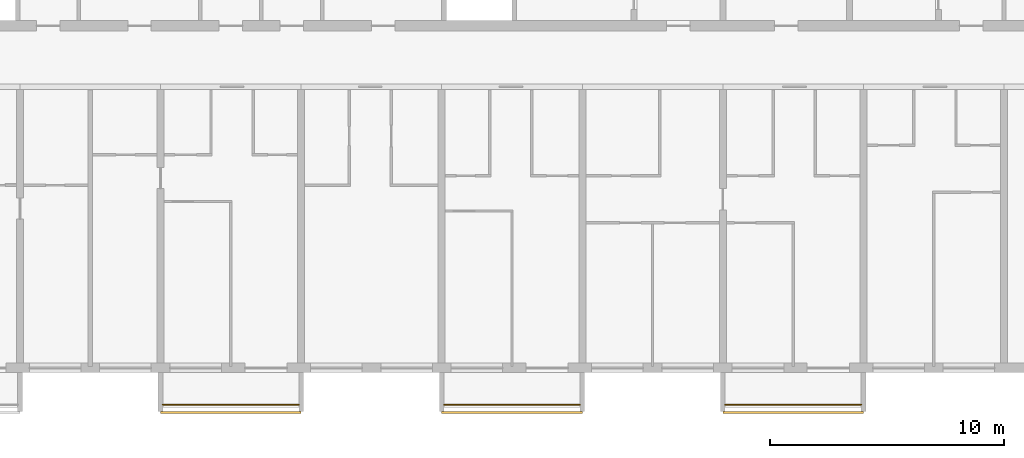
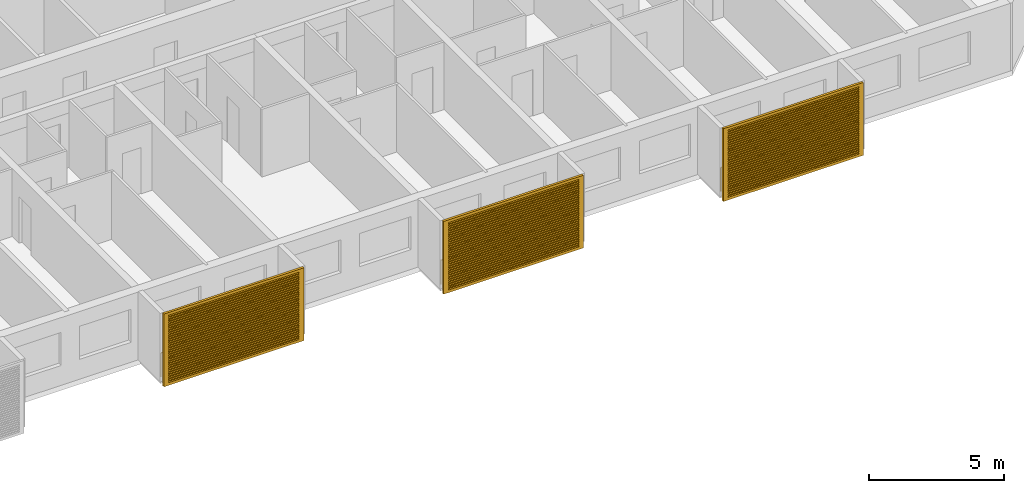
# One storey, part 15 of 32: 3 railings, 3 shading devices.
"""IFC4 building model written with IfcOpenShell, lengths in metres."""

import ifcopenshell
import ifcopenshell.guid

model = None  # the IFC model being written
_history = None  # IfcOwnerHistory: only IFC2X3 demands one
_inside = {}  # id of a spatial element -> (the spatial element, [elements in it])
_under = {}  # id of a project, library or spatial element -> (it, [spatial elements below it])
_declared = {}  # id of a project -> (the project, [libraries it declares])
_typed = {}  # id of a type object -> (the type object, [elements of that type])
_made_of = {}  # id of a material, layer set ... -> (it, [elements and type objects made of it])


def new_model(schema):
    """Start an empty IFC model of exactly this schema.

    Asked for "IFC4X3", IfcOpenShell would pick the latest addendum, in which some entities
    have other attributes; the version numbers below select the first issue.
    IFC2X3 requires an IfcOwnerHistory on every rooted entity: one is made here for all.
    """
    global model, _history
    if schema == "IFC4X3":
        model = ifcopenshell.file(schema_version=(4, 3, 0, 0))
    else:
        model = ifcopenshell.file(schema=schema)
    _inside.clear()
    _under.clear()
    _declared.clear()
    _typed.clear()
    _made_of.clear()
    _history = None
    if model.schema == "IFC2X3":
        org = make("IfcOrganization", Name="unknown")
        user = make(
            "IfcPersonAndOrganization",
            ThePerson=make("IfcPerson", FamilyName="unknown"),
            TheOrganization=org,
        )
        app = make(
            "IfcApplication",
            ApplicationDeveloper=org,
            Version="unknown",
            ApplicationFullName="unknown",
            ApplicationIdentifier="unknown",
        )
        _history = make(
            "IfcOwnerHistory",
            OwningUser=user,
            OwningApplication=app,
            ChangeAction="ADDED",
            CreationDate=0,
        )
    return model


def make(cls, **values):
    """One entity of the class cls with the attributes given. An attribute that is None is left unset."""
    return model.create_entity(
        cls, **{name: value for name, value in values.items() if value is not None}
    )


def rooted(cls, **values):
    """An entity with a GlobalId (a new one), such as an element, a storey or a relation."""
    return make(cls, GlobalId=ifcopenshell.guid.new(), OwnerHistory=_history, **values)


def si_unit(unit_type, name, prefix=None):
    """IfcSIUnit, for example si_unit("LENGTHUNIT", "METRE", prefix="MILLI")."""
    return make("IfcSIUnit", UnitType=unit_type, Prefix=prefix, Name=name)


def assignment(units):
    """IfcUnitAssignment: the units of a project."""
    return None if units is None else make("IfcUnitAssignment", Units=units)


def point(xyz):
    """IfcCartesianPoint."""
    return None if xyz is None else make("IfcCartesianPoint", Coordinates=xyz)


def direction(xyz):
    """IfcDirection."""
    return None if xyz is None else make("IfcDirection", DirectionRatios=xyz)


def frame(location, z_axis=None, x_axis=None):
    """IfcAxis2Placement3D, a coordinate frame: its origin and axes. An axis left out is left unset."""
    return make(
        "IfcAxis2Placement3D",
        Location=point(location),
        Axis=direction(z_axis),
        RefDirection=direction(x_axis),
    )


def frame_2d(location, x_axis=None):
    """IfcAxis2Placement2D, a coordinate frame in the plane: its origin and x axis."""
    return make(
        "IfcAxis2Placement2D", Location=point(location), RefDirection=direction(x_axis)
    )


def origin():
    """The frame at (0, 0, 0) with its axes left unset."""
    return frame((0.0, 0.0, 0.0))


def origin_2d():
    """The frame at (0, 0) in the plane with its x axis left unset."""
    return frame_2d((0.0, 0.0))


def place(relative_to, where):
    """IfcLocalPlacement: puts the frame where relative to a parent placement (None: the world)."""
    return make(
        "IfcLocalPlacement", PlacementRelTo=relative_to, RelativePlacement=where
    )


def context(
    kind, dimensions, precision=None, world=None, true_north=None, identifier=None
):
    """IfcGeometricRepresentationContext, for example the 3D "Model" context."""
    return make(
        "IfcGeometricRepresentationContext",
        ContextIdentifier=identifier,
        ContextType=kind,
        CoordinateSpaceDimension=dimensions,
        Precision=precision,
        WorldCoordinateSystem=world,
        TrueNorth=true_north,
    )


def subcontext(parent, identifier, kind, view, scale=None):
    """IfcGeometricRepresentationSubContext, for example "Body" below "Model"."""
    return make(
        "IfcGeometricRepresentationSubContext",
        ContextIdentifier=identifier,
        ContextType=kind,
        ParentContext=parent,
        TargetScale=scale,
        TargetView=view,
    )


def project(units=None, contexts=None):
    """IfcProject with its units and contexts."""
    return rooted(
        "IfcProject",
        Name="project",
        RepresentationContexts=contexts,
        UnitsInContext=assignment(units),
    )


def spatial(cls, under=None, at=None, **own):
    """A site, building, storey or space (cls), placed at a placement, below another one or the project."""
    s = rooted(cls, ObjectPlacement=at, **own)
    if under is not None:
        _under.setdefault(under.id(), (under, []))[1].append(s)
    return s


def polyline(points):
    """IfcPolyline through the points."""
    return make("IfcPolyline", Points=[point(p) for p in points])


def profile(cls, at=None, kind="AREA", **sizes):
    """A parametric profile (cls). Its sizes go by their IFC names, for example OverallWidth=200.0."""
    return make(cls, ProfileType=kind, Position=at, **sizes)


def circle(**sizes):
    """IfcCircleProfileDef."""
    return profile("IfcCircleProfileDef", **sizes)


def outline(outer, holes=None, kind="AREA"):
    """IfcArbitraryClosedProfileDef: a profile drawn as a closed curve; with holes, ...WithVoids."""
    if holes is None:
        return make("IfcArbitraryClosedProfileDef", ProfileType=kind, OuterCurve=outer)
    return make(
        "IfcArbitraryProfileDefWithVoids",
        ProfileType=kind,
        OuterCurve=outer,
        InnerCurves=holes,
    )


def extrude(swept, where, along, depth):
    """IfcExtrudedAreaSolid: the profile swept, set in the frame where, extruded along a direction by depth."""
    return make(
        "IfcExtrudedAreaSolid",
        SweptArea=swept,
        Position=where,
        ExtrudedDirection=direction(along),
        Depth=depth,
    )


def shape(context_of_items, identifier, shape_type, items):
    """IfcShapeRepresentation: the items that make up one representation, for example the "Body"."""
    return make(
        "IfcShapeRepresentation",
        ContextOfItems=context_of_items,
        RepresentationIdentifier=identifier,
        RepresentationType=shape_type,
        Items=items,
    )


def source(mapping_origin, context_of_items, identifier, shape_type, items):
    """IfcRepresentationMap: a shape defined once, which mapped items show again and again."""
    return make(
        "IfcRepresentationMap",
        MappingOrigin=mapping_origin,
        MappedRepresentation=shape(context_of_items, identifier, shape_type, items),
    )


def transform(
    local_origin,
    x_axis=None,
    y_axis=None,
    z_axis=None,
    scale=None,
    scale2=None,
    scale3=None,
    uniform=True,
):
    """IfcCartesianTransformationOperator3D, or its non-uniform kind. x_axis, y_axis, z_axis: its Axis1, 2, 3."""
    if uniform:
        return make(
            "IfcCartesianTransformationOperator3D",
            Axis1=direction(x_axis),
            Axis2=direction(y_axis),
            LocalOrigin=point(local_origin),
            Scale=scale,
            Axis3=direction(z_axis),
        )
    return make(
        "IfcCartesianTransformationOperator3DnonUniform",
        Axis1=direction(x_axis),
        Axis2=direction(y_axis),
        LocalOrigin=point(local_origin),
        Scale=scale,
        Axis3=direction(z_axis),
        Scale2=scale2,
        Scale3=scale3,
    )


def mapped(mapping_source, mapping_target):
    """IfcMappedItem: shows the shape of a source again, moved by a transform."""
    return make(
        "IfcMappedItem", MappingSource=mapping_source, MappingTarget=mapping_target
    )


def material(Name=None, Category=None):
    """IfcMaterial."""
    return make("IfcMaterial", Name=Name, Category=Category)


def material_profile(
    of_material, cross_section, Name=None, Category=None, Priority=None
):
    """IfcMaterialProfile: a cross section and its material."""
    return make(
        "IfcMaterialProfile",
        Name=Name,
        Material=of_material,
        Profile=cross_section,
        Priority=Priority,
        Category=Category,
    )


def profile_set(profiles, Name=None, composite=None):
    """IfcMaterialProfileSet."""
    return make(
        "IfcMaterialProfileSet",
        Name=Name,
        MaterialProfiles=profiles,
        CompositeProfile=composite,
    )


def made_of(thing, what):
    """Note that an element or type object is made of a material, layer set ...; save() writes the relation."""
    if what is not None:
        _made_of.setdefault(what.id(), (what, []))[1].append(thing)
    return thing


def type_object(cls, material=None, **own):
    """A type object (cls), such as IfcWallType, which elements share."""
    return made_of(rooted(cls, **own), material)


def element(
    cls,
    number,
    at=None,
    inside=None,
    cuts=None,
    type_object=None,
    material=None,
    context=None,
    identifier="Body",
    shape_type=None,
    held_by="IfcProductDefinitionShape",
    body=None,
    shapes=None,
    **own,
):
    """One element of the class cls, such as IfcWall. Its Tag is "e" and its number.

    at: its placement. inside: the storey or other place that contains it. cuts: it is an
    opening in that element (IfcRelVoidsElement). A single representation is given by context,
    identifier, shape_type and body (its items); several are given by shapes. held_by: the class
    of the entity that holds the representations. save() writes the other relations.
    """
    e = rooted(cls, Tag="e%d" % number, ObjectPlacement=at, **own)
    if body is not None:
        shapes = [shape(context, identifier, shape_type, body)]
    if shapes is not None:
        e.Representation = make(held_by, Representations=shapes)
    if inside is not None:
        _inside.setdefault(inside.id(), (inside, []))[1].append(e)
    if cuts is not None:
        rooted(
            "IfcRelVoidsElement", RelatingBuildingElement=cuts, RelatedOpeningElement=e
        )
    if type_object is not None:
        _typed.setdefault(type_object.id(), (type_object, []))[1].append(e)
    return made_of(e, material)


def aggregate(whole, parts):
    """IfcRelAggregates: a whole, such as a stair, and the parts it consists of."""
    return rooted("IfcRelAggregates", RelatingObject=whole, RelatedObjects=parts)


def save(model, path):
    """Write the relations noted so far, then the file.

    IfcRelAggregates (storeys below a building ...), IfcRelContainedInSpatialStructure (elements
    in a storey), IfcRelDefinesByType, IfcRelAssociatesMaterial and IfcRelDeclares: one each for
    every whole, place, type object, material and project.
    """
    for whole, parts in _under.values():
        aggregate(whole, parts)
    for where, things in _inside.values():
        rooted(
            "IfcRelContainedInSpatialStructure",
            RelatedElements=things,
            RelatingStructure=where,
        )
    for kind, things in _typed.values():
        rooted("IfcRelDefinesByType", RelatedObjects=things, RelatingType=kind)
    for what, things in _made_of.values():
        rooted("IfcRelAssociatesMaterial", RelatedObjects=things, RelatingMaterial=what)
    for by, libraries in _declared.values():
        rooted("IfcRelDeclares", RelatingContext=by, RelatedDefinitions=libraries)
    model.write(path)


model = new_model("IFC4")

# Units and contexts
model_context = context("Model", 3, precision=1e-05, world=origin(), true_north=direction((0.0, 1.0)))
body_context = subcontext(model_context, "Body", "Model", "MODEL_VIEW")
ifc_project = project(units=[si_unit("LENGTHUNIT", "METRE"), si_unit("AREAUNIT", "SQUARE_METRE"), si_unit("VOLUMEUNIT", "CUBIC_METRE"), si_unit("PLANEANGLEUNIT", "RADIAN"), si_unit("MASSUNIT", "GRAM", prefix="KILO")], contexts=[model_context])

# Site, building, storey
site_placement = place(None, origin())
site = spatial("IfcSite", under=ifc_project, at=site_placement, CompositionType="ELEMENT")
building_placement = place(site_placement, origin())
building = spatial("IfcBuilding", under=site, at=building_placement, Name="Poui Terraces", CompositionType="ELEMENT")
storey_placement = place(building_placement, frame((0.0, 0.0, 129.0)))
storey = spatial("IfcBuildingStorey", under=building, at=storey_placement, Name="L35", CompositionType="ELEMENT", Elevation=129.0)

# Railings
ifc_material_1 = material(Name="Painted steel fretwork", Category="steel")
railing_type = type_object("IfcRailingType", Name="BALCONY GUARD 1100", PredefinedType="GUARDRAIL", material=ifc_material_1)
for number, where, name in (
    (1, (48.10009765625, -1.570068359375, 0.0), "BALCONY GUARD"),
    (2, (60.10009765625, -1.570068359375, 0.0), "BALCONY GUARD"),
    (3, (72.10009765625, -1.570068359375, 0.0), "BALCONY GUARD"),
):
    element("IfcRailing", number, at=place(storey_placement, frame(where)), inside=storey, type_object=railing_type, Name=name, PredefinedType="GUARDRAIL", context=body_context, shape_type="SweptSolid", body=[
        extrude(circle(Radius=0.02392578125, at=origin_2d()), frame((0.0, 0.0, 1.076171875), z_axis=(1.0, 0.0, 0.0), x_axis=(0.0, 1.0, 0.0)), (0.0, 0.0, 1.0), 5.7998046875),
        extrude(circle(Radius=0.02099609375, at=origin_2d()), origin(), (0.0, 0.0, 1.0), 1.052001953125),
        extrude(circle(Radius=0.02099609375, at=origin_2d()), frame((0.966552734375, 0.0, 0.0)), (0.0, 0.0, 1.0), 1.052001953125),
        extrude(circle(Radius=0.02099609375, at=origin_2d()), frame((1.933349609375, 0.0, 0.0)), (0.0, 0.0, 1.0), 1.052001953125),
        extrude(circle(Radius=0.02099609375, at=origin_2d()), frame((2.89990234375, 0.0, 0.0)), (0.0, 0.0, 1.0), 1.052001953125),
        extrude(circle(Radius=0.02099609375, at=origin_2d()), frame((3.866455078125, 0.0, 0.0)), (0.0, 0.0, 1.0), 1.052001953125),
        extrude(circle(Radius=0.02099609375, at=origin_2d()), frame((4.833251953125, 0.0, 0.0)), (0.0, 0.0, 1.0), 1.052001953125),
        extrude(circle(Radius=0.02099609375, at=origin_2d()), frame((5.7998046875, 0.0, 0.0)), (0.0, 0.0, 1.0), 1.052001953125),
    ])

# Shading devices
ifc_material_2 = material(Name="Aluminium louvre", Category="aluminium")
ifc_material_profile = material_profile(ifc_material_2, outline(polyline([(-3.0, -1.64990234375), (3.0, -1.64990234375), (3.0, 1.64990234375), (-3.0, 1.64990234375), (-3.0, -1.64990234375)]), holes=[polyline([(-2.800048828125, -1.530029296875), (2.800048828125, -1.530029296875), (2.800048828125, -1.469970703125), (-2.800048828125, -1.469970703125), (-2.800048828125, -1.530029296875)]), polyline([(-2.800048828125, -1.429931640625), (2.800048828125, -1.429931640625), (2.800048828125, -1.3701171875), (-2.800048828125, -1.3701171875), (-2.800048828125, -1.429931640625)]), polyline([(-2.800048828125, -1.330078125), (2.800048828125, -1.330078125), (2.800048828125, -1.27001953125), (-2.800048828125, -1.27001953125), (-2.800048828125, -1.330078125)]), polyline([(-2.800048828125, -1.22998046875), (2.800048828125, -1.22998046875), (2.800048828125, -1.169921875), (-2.800048828125, -1.169921875), (-2.800048828125, -1.22998046875)]), polyline([(-2.800048828125, -1.1298828125), (2.800048828125, -1.1298828125), (2.800048828125, -1.070068359375), (-2.800048828125, -1.070068359375), (-2.800048828125, -1.1298828125)]), polyline([(-2.800048828125, -1.030029296875), (2.800048828125, -1.030029296875), (2.800048828125, -0.969970703125), (-2.800048828125, -0.969970703125), (-2.800048828125, -1.030029296875)]), polyline([(-2.800048828125, -0.929931640625), (2.800048828125, -0.929931640625), (2.800048828125, -0.8701171875), (-2.800048828125, -0.8701171875), (-2.800048828125, -0.929931640625)]), polyline([(-2.800048828125, -0.830078125), (2.800048828125, -0.830078125), (2.800048828125, -0.77001953125), (-2.800048828125, -0.77001953125), (-2.800048828125, -0.830078125)]), polyline([(-2.800048828125, -0.72998046875), (2.800048828125, -0.72998046875), (2.800048828125, -0.669921875), (-2.800048828125, -0.669921875), (-2.800048828125, -0.72998046875)]), polyline([(-2.800048828125, -0.6298828125), (2.800048828125, -0.6298828125), (2.800048828125, -0.570068359375), (-2.800048828125, -0.570068359375), (-2.800048828125, -0.6298828125)]), polyline([(-2.800048828125, -0.530029296875), (2.800048828125, -0.530029296875), (2.800048828125, -0.469970703125), (-2.800048828125, -0.469970703125), (-2.800048828125, -0.530029296875)]), polyline([(-2.800048828125, -0.429931640625), (2.800048828125, -0.429931640625), (2.800048828125, -0.3701171875), (-2.800048828125, -0.3701171875), (-2.800048828125, -0.429931640625)]), polyline([(-2.800048828125, -0.330078125), (2.800048828125, -0.330078125), (2.800048828125, -0.27001953125), (-2.800048828125, -0.27001953125), (-2.800048828125, -0.330078125)]), polyline([(-2.800048828125, -0.22998046875), (2.800048828125, -0.22998046875), (2.800048828125, -0.169921875), (-2.800048828125, -0.169921875), (-2.800048828125, -0.22998046875)]), polyline([(-2.800048828125, -0.1298828125), (2.800048828125, -0.1298828125), (2.800048828125, -0.070068359375), (-2.800048828125, -0.070068359375), (-2.800048828125, -0.1298828125)]), polyline([(-2.800048828125, -0.030029296875), (2.800048828125, -0.030029296875), (2.800048828125, 0.030029296875), (-2.800048828125, 0.030029296875), (-2.800048828125, -0.030029296875)]), polyline([(-2.800048828125, 0.070068359375), (2.800048828125, 0.070068359375), (2.800048828125, 0.1298828125), (-2.800048828125, 0.1298828125), (-2.800048828125, 0.070068359375)]), polyline([(-2.800048828125, 0.169921875), (2.800048828125, 0.169921875), (2.800048828125, 0.22998046875), (-2.800048828125, 0.22998046875), (-2.800048828125, 0.169921875)]), polyline([(-2.800048828125, 0.27001953125), (2.800048828125, 0.27001953125), (2.800048828125, 0.330078125), (-2.800048828125, 0.330078125), (-2.800048828125, 0.27001953125)]), polyline([(-2.800048828125, 0.3701171875), (2.800048828125, 0.3701171875), (2.800048828125, 0.429931640625), (-2.800048828125, 0.429931640625), (-2.800048828125, 0.3701171875)]), polyline([(-2.800048828125, 0.469970703125), (2.800048828125, 0.469970703125), (2.800048828125, 0.530029296875), (-2.800048828125, 0.530029296875), (-2.800048828125, 0.469970703125)]), polyline([(-2.800048828125, 0.570068359375), (2.800048828125, 0.570068359375), (2.800048828125, 0.6298828125), (-2.800048828125, 0.6298828125), (-2.800048828125, 0.570068359375)]), polyline([(-2.800048828125, 0.669921875), (2.800048828125, 0.669921875), (2.800048828125, 0.72998046875), (-2.800048828125, 0.72998046875), (-2.800048828125, 0.669921875)]), polyline([(-2.800048828125, 0.77001953125), (2.800048828125, 0.77001953125), (2.800048828125, 0.830078125), (-2.800048828125, 0.830078125), (-2.800048828125, 0.77001953125)]), polyline([(-2.800048828125, 0.8701171875), (2.800048828125, 0.8701171875), (2.800048828125, 0.929931640625), (-2.800048828125, 0.929931640625), (-2.800048828125, 0.8701171875)]), polyline([(-2.800048828125, 0.969970703125), (2.800048828125, 0.969970703125), (2.800048828125, 1.030029296875), (-2.800048828125, 1.030029296875), (-2.800048828125, 0.969970703125)]), polyline([(-2.800048828125, 1.070068359375), (2.800048828125, 1.070068359375), (2.800048828125, 1.1298828125), (-2.800048828125, 1.1298828125), (-2.800048828125, 1.070068359375)]), polyline([(-2.800048828125, 1.169921875), (2.800048828125, 1.169921875), (2.800048828125, 1.22998046875), (-2.800048828125, 1.22998046875), (-2.800048828125, 1.169921875)]), polyline([(-2.800048828125, 1.27001953125), (2.800048828125, 1.27001953125), (2.800048828125, 1.330078125), (-2.800048828125, 1.330078125), (-2.800048828125, 1.27001953125)]), polyline([(-2.800048828125, 1.3701171875), (2.800048828125, 1.3701171875), (2.800048828125, 1.429931640625), (-2.800048828125, 1.429931640625), (-2.800048828125, 1.3701171875)]), polyline([(-2.800048828125, 1.469970703125), (2.800048828125, 1.469970703125), (2.800048828125, 1.530029296875), (-2.800048828125, 1.530029296875), (-2.800048828125, 1.469970703125)])]), Name="JALOUSIE LOUVRE SHUTTER 6000X3300")
ifc_profile_set = profile_set([ifc_material_profile], Name="Aluminium louvre")
shading_device_type = type_object("IfcShadingDeviceType", Name="JALOUSIE LOUVRE SHUTTER 6000X3300", PredefinedType="JALOUSIE", material=ifc_profile_set)
shared_shape = source(origin(), body_context, "Body", "SweptSolid", [
    extrude(outline(polyline([(-3.0, -1.64990234375), (3.0, -1.64990234375), (3.0, 1.64990234375), (-3.0, 1.64990234375), (-3.0, -1.64990234375)]), holes=[polyline([(-2.800048828125, -1.530029296875), (2.800048828125, -1.530029296875), (2.800048828125, -1.469970703125), (-2.800048828125, -1.469970703125), (-2.800048828125, -1.530029296875)]), polyline([(-2.800048828125, -1.429931640625), (2.800048828125, -1.429931640625), (2.800048828125, -1.3701171875), (-2.800048828125, -1.3701171875), (-2.800048828125, -1.429931640625)]), polyline([(-2.800048828125, -1.330078125), (2.800048828125, -1.330078125), (2.800048828125, -1.27001953125), (-2.800048828125, -1.27001953125), (-2.800048828125, -1.330078125)]), polyline([(-2.800048828125, -1.22998046875), (2.800048828125, -1.22998046875), (2.800048828125, -1.169921875), (-2.800048828125, -1.169921875), (-2.800048828125, -1.22998046875)]), polyline([(-2.800048828125, -1.1298828125), (2.800048828125, -1.1298828125), (2.800048828125, -1.070068359375), (-2.800048828125, -1.070068359375), (-2.800048828125, -1.1298828125)]), polyline([(-2.800048828125, -1.030029296875), (2.800048828125, -1.030029296875), (2.800048828125, -0.969970703125), (-2.800048828125, -0.969970703125), (-2.800048828125, -1.030029296875)]), polyline([(-2.800048828125, -0.929931640625), (2.800048828125, -0.929931640625), (2.800048828125, -0.8701171875), (-2.800048828125, -0.8701171875), (-2.800048828125, -0.929931640625)]), polyline([(-2.800048828125, -0.830078125), (2.800048828125, -0.830078125), (2.800048828125, -0.77001953125), (-2.800048828125, -0.77001953125), (-2.800048828125, -0.830078125)]), polyline([(-2.800048828125, -0.72998046875), (2.800048828125, -0.72998046875), (2.800048828125, -0.669921875), (-2.800048828125, -0.669921875), (-2.800048828125, -0.72998046875)]), polyline([(-2.800048828125, -0.6298828125), (2.800048828125, -0.6298828125), (2.800048828125, -0.570068359375), (-2.800048828125, -0.570068359375), (-2.800048828125, -0.6298828125)]), polyline([(-2.800048828125, -0.530029296875), (2.800048828125, -0.530029296875), (2.800048828125, -0.469970703125), (-2.800048828125, -0.469970703125), (-2.800048828125, -0.530029296875)]), polyline([(-2.800048828125, -0.429931640625), (2.800048828125, -0.429931640625), (2.800048828125, -0.3701171875), (-2.800048828125, -0.3701171875), (-2.800048828125, -0.429931640625)]), polyline([(-2.800048828125, -0.330078125), (2.800048828125, -0.330078125), (2.800048828125, -0.27001953125), (-2.800048828125, -0.27001953125), (-2.800048828125, -0.330078125)]), polyline([(-2.800048828125, -0.22998046875), (2.800048828125, -0.22998046875), (2.800048828125, -0.169921875), (-2.800048828125, -0.169921875), (-2.800048828125, -0.22998046875)]), polyline([(-2.800048828125, -0.1298828125), (2.800048828125, -0.1298828125), (2.800048828125, -0.070068359375), (-2.800048828125, -0.070068359375), (-2.800048828125, -0.1298828125)]), polyline([(-2.800048828125, -0.030029296875), (2.800048828125, -0.030029296875), (2.800048828125, 0.030029296875), (-2.800048828125, 0.030029296875), (-2.800048828125, -0.030029296875)]), polyline([(-2.800048828125, 0.070068359375), (2.800048828125, 0.070068359375), (2.800048828125, 0.1298828125), (-2.800048828125, 0.1298828125), (-2.800048828125, 0.070068359375)]), polyline([(-2.800048828125, 0.169921875), (2.800048828125, 0.169921875), (2.800048828125, 0.22998046875), (-2.800048828125, 0.22998046875), (-2.800048828125, 0.169921875)]), polyline([(-2.800048828125, 0.27001953125), (2.800048828125, 0.27001953125), (2.800048828125, 0.330078125), (-2.800048828125, 0.330078125), (-2.800048828125, 0.27001953125)]), polyline([(-2.800048828125, 0.3701171875), (2.800048828125, 0.3701171875), (2.800048828125, 0.429931640625), (-2.800048828125, 0.429931640625), (-2.800048828125, 0.3701171875)]), polyline([(-2.800048828125, 0.469970703125), (2.800048828125, 0.469970703125), (2.800048828125, 0.530029296875), (-2.800048828125, 0.530029296875), (-2.800048828125, 0.469970703125)]), polyline([(-2.800048828125, 0.570068359375), (2.800048828125, 0.570068359375), (2.800048828125, 0.6298828125), (-2.800048828125, 0.6298828125), (-2.800048828125, 0.570068359375)]), polyline([(-2.800048828125, 0.669921875), (2.800048828125, 0.669921875), (2.800048828125, 0.72998046875), (-2.800048828125, 0.72998046875), (-2.800048828125, 0.669921875)]), polyline([(-2.800048828125, 0.77001953125), (2.800048828125, 0.77001953125), (2.800048828125, 0.830078125), (-2.800048828125, 0.830078125), (-2.800048828125, 0.77001953125)]), polyline([(-2.800048828125, 0.8701171875), (2.800048828125, 0.8701171875), (2.800048828125, 0.929931640625), (-2.800048828125, 0.929931640625), (-2.800048828125, 0.8701171875)]), polyline([(-2.800048828125, 0.969970703125), (2.800048828125, 0.969970703125), (2.800048828125, 1.030029296875), (-2.800048828125, 1.030029296875), (-2.800048828125, 0.969970703125)]), polyline([(-2.800048828125, 1.070068359375), (2.800048828125, 1.070068359375), (2.800048828125, 1.1298828125), (-2.800048828125, 1.1298828125), (-2.800048828125, 1.070068359375)]), polyline([(-2.800048828125, 1.169921875), (2.800048828125, 1.169921875), (2.800048828125, 1.22998046875), (-2.800048828125, 1.22998046875), (-2.800048828125, 1.169921875)]), polyline([(-2.800048828125, 1.27001953125), (2.800048828125, 1.27001953125), (2.800048828125, 1.330078125), (-2.800048828125, 1.330078125), (-2.800048828125, 1.27001953125)]), polyline([(-2.800048828125, 1.3701171875), (2.800048828125, 1.3701171875), (2.800048828125, 1.429931640625), (-2.800048828125, 1.429931640625), (-2.800048828125, 1.3701171875)]), polyline([(-2.800048828125, 1.469970703125), (2.800048828125, 1.469970703125), (2.800048828125, 1.530029296875), (-2.800048828125, 1.530029296875), (-2.800048828125, 1.469970703125)])]), origin(), (0.0, 0.0, 1.0), 0.099853515625),
])
for number, where, z_axis, x_axis, name in (
    (4, (51.0, -1.85009765625, 1.449951171875), (0.0, -1.0, 0.0), (1.0, 0.0, 0.0), "JALOUSIE LOUVRE SHUTTER"),
    (5, (63.0, -1.85009765625, 1.449951171875), (0.0, -1.0, 0.0), (1.0, 0.0, 0.0), "JALOUSIE LOUVRE SHUTTER"),
    (6, (75.0, -1.85009765625, 1.449951171875), (0.0, -1.0, 0.0), (1.0, 0.0, 0.0), "JALOUSIE LOUVRE SHUTTER"),
):
    element("IfcShadingDevice", number, at=place(storey_placement, frame(where, z_axis=z_axis, x_axis=x_axis)), inside=storey, type_object=shading_device_type, Name=name, PredefinedType="JALOUSIE", context=body_context, shape_type="MappedRepresentation", body=[
        mapped(shared_shape, transform((0.0, 0.0, 0.0))),
    ])

save(model, "model.ifc")
